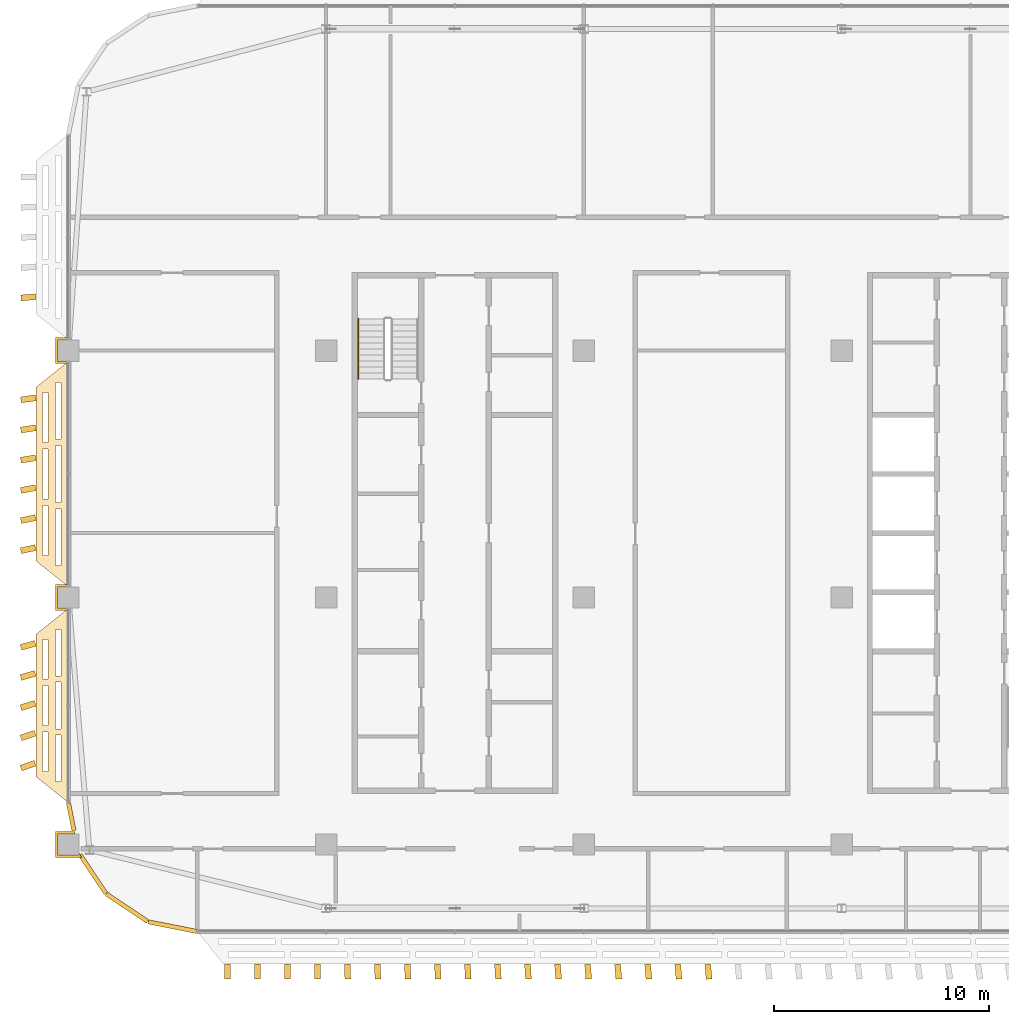
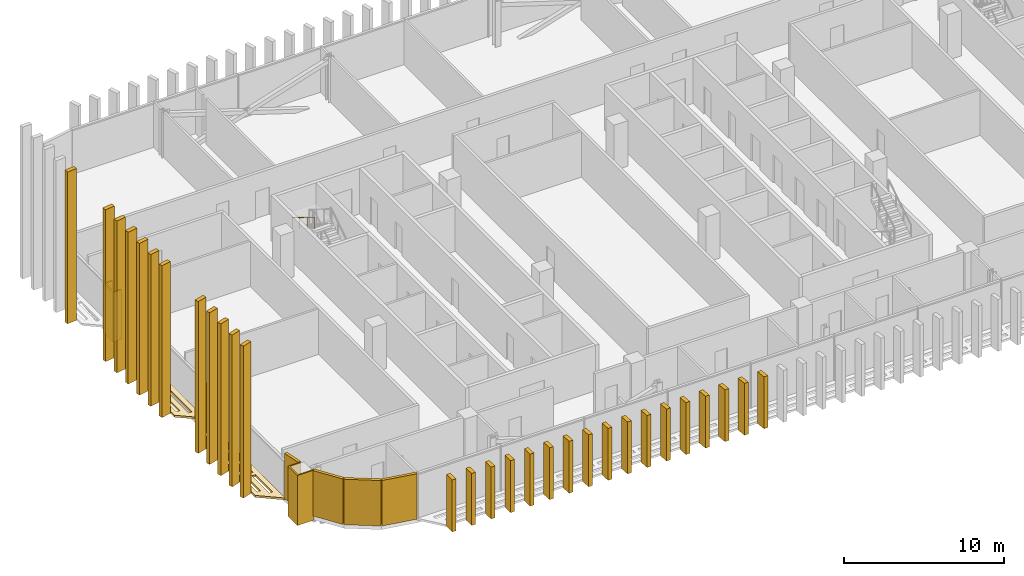
# One storey, part 26 of 32: 38 coverings, 1 railing.
"""IFC4 building model written with IfcOpenShell, lengths in metres."""

import ifcopenshell
import ifcopenshell.guid

model = None  # the IFC model being written
_history = None  # IfcOwnerHistory: only IFC2X3 demands one
_inside = {}  # id of a spatial element -> (the spatial element, [elements in it])
_under = {}  # id of a project, library or spatial element -> (it, [spatial elements below it])
_declared = {}  # id of a project -> (the project, [libraries it declares])
_typed = {}  # id of a type object -> (the type object, [elements of that type])
_made_of = {}  # id of a material, layer set ... -> (it, [elements and type objects made of it])


def new_model(schema):
    """Start an empty IFC model of exactly this schema.

    Asked for "IFC4X3", IfcOpenShell would pick the latest addendum, in which some entities
    have other attributes; the version numbers below select the first issue.
    IFC2X3 requires an IfcOwnerHistory on every rooted entity: one is made here for all.
    """
    global model, _history
    if schema == "IFC4X3":
        model = ifcopenshell.file(schema_version=(4, 3, 0, 0))
    else:
        model = ifcopenshell.file(schema=schema)
    _inside.clear()
    _under.clear()
    _declared.clear()
    _typed.clear()
    _made_of.clear()
    _history = None
    if model.schema == "IFC2X3":
        org = make("IfcOrganization", Name="unknown")
        user = make(
            "IfcPersonAndOrganization",
            ThePerson=make("IfcPerson", FamilyName="unknown"),
            TheOrganization=org,
        )
        app = make(
            "IfcApplication",
            ApplicationDeveloper=org,
            Version="unknown",
            ApplicationFullName="unknown",
            ApplicationIdentifier="unknown",
        )
        _history = make(
            "IfcOwnerHistory",
            OwningUser=user,
            OwningApplication=app,
            ChangeAction="ADDED",
            CreationDate=0,
        )
    return model


def make(cls, **values):
    """One entity of the class cls with the attributes given. An attribute that is None is left unset."""
    return model.create_entity(
        cls, **{name: value for name, value in values.items() if value is not None}
    )


def rooted(cls, **values):
    """An entity with a GlobalId (a new one), such as an element, a storey or a relation."""
    return make(cls, GlobalId=ifcopenshell.guid.new(), OwnerHistory=_history, **values)


def si_unit(unit_type, name, prefix=None):
    """IfcSIUnit, for example si_unit("LENGTHUNIT", "METRE", prefix="MILLI")."""
    return make("IfcSIUnit", UnitType=unit_type, Prefix=prefix, Name=name)


def assignment(units):
    """IfcUnitAssignment: the units of a project."""
    return None if units is None else make("IfcUnitAssignment", Units=units)


def point(xyz):
    """IfcCartesianPoint."""
    return None if xyz is None else make("IfcCartesianPoint", Coordinates=xyz)


def direction(xyz):
    """IfcDirection."""
    return None if xyz is None else make("IfcDirection", DirectionRatios=xyz)


def frame(location, z_axis=None, x_axis=None):
    """IfcAxis2Placement3D, a coordinate frame: its origin and axes. An axis left out is left unset."""
    return make(
        "IfcAxis2Placement3D",
        Location=point(location),
        Axis=direction(z_axis),
        RefDirection=direction(x_axis),
    )


def frame_2d(location, x_axis=None):
    """IfcAxis2Placement2D, a coordinate frame in the plane: its origin and x axis."""
    return make(
        "IfcAxis2Placement2D", Location=point(location), RefDirection=direction(x_axis)
    )


def origin():
    """The frame at (0, 0, 0) with its axes left unset."""
    return frame((0.0, 0.0, 0.0))


def origin_2d():
    """The frame at (0, 0) in the plane with its x axis left unset."""
    return frame_2d((0.0, 0.0))


def place(relative_to, where):
    """IfcLocalPlacement: puts the frame where relative to a parent placement (None: the world)."""
    return make(
        "IfcLocalPlacement", PlacementRelTo=relative_to, RelativePlacement=where
    )


def context(
    kind, dimensions, precision=None, world=None, true_north=None, identifier=None
):
    """IfcGeometricRepresentationContext, for example the 3D "Model" context."""
    return make(
        "IfcGeometricRepresentationContext",
        ContextIdentifier=identifier,
        ContextType=kind,
        CoordinateSpaceDimension=dimensions,
        Precision=precision,
        WorldCoordinateSystem=world,
        TrueNorth=true_north,
    )


def subcontext(parent, identifier, kind, view, scale=None):
    """IfcGeometricRepresentationSubContext, for example "Body" below "Model"."""
    return make(
        "IfcGeometricRepresentationSubContext",
        ContextIdentifier=identifier,
        ContextType=kind,
        ParentContext=parent,
        TargetScale=scale,
        TargetView=view,
    )


def project(units=None, contexts=None):
    """IfcProject with its units and contexts."""
    return rooted(
        "IfcProject",
        Name="project",
        RepresentationContexts=contexts,
        UnitsInContext=assignment(units),
    )


def spatial(cls, under=None, at=None, **own):
    """A site, building, storey or space (cls), placed at a placement, below another one or the project."""
    s = rooted(cls, ObjectPlacement=at, **own)
    if under is not None:
        _under.setdefault(under.id(), (under, []))[1].append(s)
    return s


def polyline(points):
    """IfcPolyline through the points."""
    return make("IfcPolyline", Points=[point(p) for p in points])


def profile(cls, at=None, kind="AREA", **sizes):
    """A parametric profile (cls). Its sizes go by their IFC names, for example OverallWidth=200.0."""
    return make(cls, ProfileType=kind, Position=at, **sizes)


def rectangle(**sizes):
    """IfcRectangleProfileDef."""
    return profile("IfcRectangleProfileDef", **sizes)


def circle(**sizes):
    """IfcCircleProfileDef."""
    return profile("IfcCircleProfileDef", **sizes)


def outline(outer, holes=None, kind="AREA"):
    """IfcArbitraryClosedProfileDef: a profile drawn as a closed curve; with holes, ...WithVoids."""
    if holes is None:
        return make("IfcArbitraryClosedProfileDef", ProfileType=kind, OuterCurve=outer)
    return make(
        "IfcArbitraryProfileDefWithVoids",
        ProfileType=kind,
        OuterCurve=outer,
        InnerCurves=holes,
    )


def extrude(swept, where, along, depth):
    """IfcExtrudedAreaSolid: the profile swept, set in the frame where, extruded along a direction by depth."""
    return make(
        "IfcExtrudedAreaSolid",
        SweptArea=swept,
        Position=where,
        ExtrudedDirection=direction(along),
        Depth=depth,
    )


def shape(context_of_items, identifier, shape_type, items):
    """IfcShapeRepresentation: the items that make up one representation, for example the "Body"."""
    return make(
        "IfcShapeRepresentation",
        ContextOfItems=context_of_items,
        RepresentationIdentifier=identifier,
        RepresentationType=shape_type,
        Items=items,
    )


def material(Name=None, Category=None):
    """IfcMaterial."""
    return make("IfcMaterial", Name=Name, Category=Category)


def layer(
    of_material, thickness, ventilated=None, Name=None, Category=None, Priority=None
):
    """IfcMaterialLayer: one layer of a wall or slab, of a material (None: an air gap)."""
    return make(
        "IfcMaterialLayer",
        Material=of_material,
        LayerThickness=thickness,
        IsVentilated=ventilated,
        Name=Name,
        Category=Category,
        Priority=Priority,
    )


def layer_set(layers, Name=None):
    """IfcMaterialLayerSet."""
    return make("IfcMaterialLayerSet", MaterialLayers=layers, LayerSetName=Name)


def made_of(thing, what):
    """Note that an element or type object is made of a material, layer set ...; save() writes the relation."""
    if what is not None:
        _made_of.setdefault(what.id(), (what, []))[1].append(thing)
    return thing


def type_object(cls, material=None, **own):
    """A type object (cls), such as IfcWallType, which elements share."""
    return made_of(rooted(cls, **own), material)


def element(
    cls,
    number,
    at=None,
    inside=None,
    cuts=None,
    type_object=None,
    material=None,
    context=None,
    identifier="Body",
    shape_type=None,
    held_by="IfcProductDefinitionShape",
    body=None,
    shapes=None,
    **own,
):
    """One element of the class cls, such as IfcWall. Its Tag is "e" and its number.

    at: its placement. inside: the storey or other place that contains it. cuts: it is an
    opening in that element (IfcRelVoidsElement). A single representation is given by context,
    identifier, shape_type and body (its items); several are given by shapes. held_by: the class
    of the entity that holds the representations. save() writes the other relations.
    """
    e = rooted(cls, Tag="e%d" % number, ObjectPlacement=at, **own)
    if body is not None:
        shapes = [shape(context, identifier, shape_type, body)]
    if shapes is not None:
        e.Representation = make(held_by, Representations=shapes)
    if inside is not None:
        _inside.setdefault(inside.id(), (inside, []))[1].append(e)
    if cuts is not None:
        rooted(
            "IfcRelVoidsElement", RelatingBuildingElement=cuts, RelatedOpeningElement=e
        )
    if type_object is not None:
        _typed.setdefault(type_object.id(), (type_object, []))[1].append(e)
    return made_of(e, material)


def aggregate(whole, parts):
    """IfcRelAggregates: a whole, such as a stair, and the parts it consists of."""
    return rooted("IfcRelAggregates", RelatingObject=whole, RelatedObjects=parts)


def save(model, path):
    """Write the relations noted so far, then the file.

    IfcRelAggregates (storeys below a building ...), IfcRelContainedInSpatialStructure (elements
    in a storey), IfcRelDefinesByType, IfcRelAssociatesMaterial and IfcRelDeclares: one each for
    every whole, place, type object, material and project.
    """
    for whole, parts in _under.values():
        aggregate(whole, parts)
    for where, things in _inside.values():
        rooted(
            "IfcRelContainedInSpatialStructure",
            RelatedElements=things,
            RelatingStructure=where,
        )
    for kind, things in _typed.values():
        rooted("IfcRelDefinesByType", RelatedObjects=things, RelatingType=kind)
    for what, things in _made_of.values():
        rooted("IfcRelAssociatesMaterial", RelatedObjects=things, RelatingMaterial=what)
    for by, libraries in _declared.values():
        rooted("IfcRelDeclares", RelatingContext=by, RelatedDefinitions=libraries)
    model.write(path)


model = new_model("IFC4")

# Units and contexts
model_context = context("Model", 3, precision=1e-05, world=origin(), true_north=direction((0.0, 1.0)))
body_context = subcontext(model_context, "Body", "Model", "MODEL_VIEW")
ifc_project = project(units=[si_unit("LENGTHUNIT", "METRE"), si_unit("AREAUNIT", "SQUARE_METRE"), si_unit("VOLUMEUNIT", "CUBIC_METRE"), si_unit("PLANEANGLEUNIT", "RADIAN"), si_unit("MASSUNIT", "GRAM", prefix="KILO")], contexts=[model_context])

# Site, building, storey
site_placement = place(None, origin())
site = spatial("IfcSite", under=ifc_project, at=site_placement, CompositionType="ELEMENT")
building_placement = place(site_placement, origin())
building = spatial("IfcBuilding", under=site, at=building_placement, Name="Mahtab Terrace Research Tower", CompositionType="ELEMENT")
storey_placement = place(building_placement, frame((0.0, 0.0, 243.800048828125)))
storey = spatial("IfcBuildingStorey", under=building, at=storey_placement, Name="L59", CompositionType="ELEMENT", Elevation=243.800048828125)

# Coverings
ifc_material_1 = material(Name="Black aluminium cladding panel", Category="aluminium")
ifc_layer_1 = layer(ifc_material_1, 0.199951171875)
ifc_layer_set_1 = layer_set([ifc_layer_1], Name="Black metal corner cladding 200")
covering_type_1 = type_object("IfcCoveringType", Name="Black metal corner cladding 200", PredefinedType="CLADDING", material=ifc_layer_set_1)
covering_1_placement = place(storey_placement, frame((-41.869384765625, -10.21240234375, 0.0), z_axis=(0.0, 0.0, 1.0), x_axis=(0.195212442692, -0.980760981187, 0.0)))
element("IfcCovering", 1, at=covering_1_placement, inside=storey, type_object=covering_type_1, Name="Corner cladding L59 11", PredefinedType="CLADDING", context=body_context, shape_type="SweptSolid", body=[
    extrude(rectangle(XDim=1.298828125, YDim=0.199951171875, at=origin_2d()), origin(), (0.0, 0.0, 1.0), 3.4599609375),
])
covering_2_placement = place(storey_placement, frame((-40.857666015625, -12.87841796875, 0.0), z_axis=(0.0, 0.0, 1.0), x_axis=(0.555291490808, -0.831655794326, 0.0)))
element("IfcCovering", 2, at=covering_2_placement, inside=storey, type_object=covering_type_1, Name="Corner cladding L59 12", PredefinedType="CLADDING", context=body_context, shape_type="SweptSolid", body=[
    extrude(rectangle(XDim=2.17431640625, YDim=0.199951171875, at=origin_2d()), origin(), (0.0, 0.0, 1.0), 3.4599609375),
])
for number, where, z_axis, x_axis, name in (
    (3, (-39.26953125, -14.448974609375, 0.0), (0.0, 0.0, 1.0), (0.831655794326, -0.555291490808, 0.0), "Corner cladding L59 13"),
    (4, (-37.14794921875, -15.327392578125, 0.0), (0.0, 0.0, 1.0), (0.980760981187, -0.195212442692, 0.0), "Corner cladding L59 14"),
):
    element("IfcCovering", number, at=place(storey_placement, frame(where, z_axis=z_axis, x_axis=x_axis)), inside=storey, type_object=covering_type_1, Name=name, PredefinedType="CLADDING", context=body_context, shape_type="SweptSolid", body=[
        extrude(rectangle(XDim=2.30126953125, YDim=0.199951171875, at=origin_2d()), origin(), (0.0, 0.0, 1.0), 3.4599609375),
    ])
ifc_material_2 = material(Name="Dark anodised aluminium cladding", Category="aluminium")
ifc_layer_2 = layer(ifc_material_2, 0.10009765625)
ifc_layer_set_2 = layer_set([ifc_layer_2], Name="Column casing 100")
covering_type_2 = type_object("IfcCoveringType", Name="Column casing 100", PredefinedType="CLADDING", material=ifc_layer_set_2)
covering_3_placement = place(storey_placement, frame((0.0, 0.0, -0.340087890625)))
element("IfcCovering", 5, at=covering_3_placement, inside=storey, type_object=covering_type_2, Name="Column casing RC-1A L59", PredefinedType="CLADDING", context=body_context, shape_type="SweptSolid", body=[
    extrude(outline(polyline([(-42.60009765625, -10.89990234375), (-41.73193359375, -10.89990234375), (-41.712890625, -11.0), (-42.5, -11.0), (-42.5, -12.0), (-41.5, -12.0), (-41.5, -11.916015625), (-41.39990234375, -12.06591796875), (-41.39990234375, -12.10009765625), (-42.60009765625, -12.10009765625), (-42.60009765625, -10.89990234375)])), origin(), (0.0, 0.0, 1.0), 3.800048828125),
])
covering_4_placement = place(storey_placement, frame((0.0, 0.0, -0.340087890625)))
element("IfcCovering", 6, at=covering_4_placement, inside=storey, type_object=covering_type_2, Name="Column casing RC-1B L59", PredefinedType="CLADDING", context=body_context, shape_type="SweptSolid", body=[
    extrude(outline(polyline([(-42.60009765625, 0.60009765625), (-42.0, 0.60009765625), (-42.0, 0.5), (-42.5, 0.5), (-42.5, -0.5), (-42.0, -0.5), (-42.0, -0.60009765625), (-42.60009765625, -0.60009765625), (-42.60009765625, 0.60009765625)])), origin(), (0.0, 0.0, 1.0), 3.800048828125),
])
covering_5_placement = place(storey_placement, frame((0.0, 0.0, -0.340087890625)))
element("IfcCovering", 7, at=covering_5_placement, inside=storey, type_object=covering_type_2, Name="Column casing RC-1C L59", PredefinedType="CLADDING", context=body_context, shape_type="SweptSolid", body=[
    extrude(outline(polyline([(-42.60009765625, 12.10009765625), (-42.0, 12.10009765625), (-42.0, 12.0), (-42.5, 12.0), (-42.5, 11.0), (-42.0, 11.0), (-42.0, 10.89990234375), (-42.60009765625, 10.89990234375), (-42.60009765625, 12.10009765625)])), origin(), (0.0, 0.0, 1.0), 3.800048828125),
])
ifc_material_3 = material(Name="Black anodised aluminium", Category="aluminium")
ifc_layer_3 = layer(ifc_material_3, 0.14990234375)
ifc_layer_set_3 = layer_set([ifc_layer_3], Name="Horizontal sunshade band")
covering_type_3 = type_object("IfcCoveringType", Name="Horizontal sunshade band", PredefinedType="CLADDING", material=ifc_layer_set_3)
covering_6_placement = place(storey_placement, frame((0.0, 0.0, -0.150146484375)))
element("IfcCovering", 8, at=covering_6_placement, inside=storey, type_object=covering_type_3, Name="Sunshade band L59 9", PredefinedType="CLADDING", context=body_context, shape_type="SweptSolid", body=[
    extrude(outline(polyline([(-42.0, 11.0), (-42.0, 0.5), (-43.5, 1.699951171875), (-43.5, 9.800048828125), (-42.0, 11.0)]), holes=[polyline([(-42.35009765625, 10.02001953125), (-42.35009765625, 7.373046875), (-42.60009765625, 7.373046875), (-42.60009765625, 10.02001953125), (-42.35009765625, 10.02001953125)]), polyline([(-42.35009765625, 7.072998046875), (-42.35009765625, 4.427001953125), (-42.60009765625, 4.427001953125), (-42.60009765625, 7.072998046875), (-42.35009765625, 7.072998046875)]), polyline([(-42.35009765625, 4.126953125), (-42.35009765625, 1.47998046875), (-42.60009765625, 1.47998046875), (-42.60009765625, 4.126953125), (-42.35009765625, 4.126953125)]), polyline([(-42.949951171875, 9.5400390625), (-42.949951171875, 7.212890625), (-43.199951171875, 7.212890625), (-43.199951171875, 9.5400390625), (-42.949951171875, 9.5400390625)]), polyline([(-42.949951171875, 6.9130859375), (-42.949951171875, 4.5869140625), (-43.199951171875, 4.5869140625), (-43.199951171875, 6.9130859375), (-42.949951171875, 6.9130859375)]), polyline([(-42.949951171875, 4.287109375), (-42.949951171875, 1.9599609375), (-43.199951171875, 1.9599609375), (-43.199951171875, 4.287109375), (-42.949951171875, 4.287109375)])]), origin(), (0.0, 0.0, 1.0), 0.150146484375),
])
covering_7_placement = place(storey_placement, frame((0.0, 0.0, -0.150146484375)))
element("IfcCovering", 9, at=covering_7_placement, inside=storey, type_object=covering_type_3, Name="Sunshade band L59 10", PredefinedType="CLADDING", context=body_context, shape_type="SweptSolid", body=[
    extrude(outline(polyline([(-42.0, -0.5), (-42.0, -9.555908203125), (-43.5, -8.35595703125), (-43.5, -1.699951171875), (-42.0, -0.5)]), holes=[polyline([(-42.35009765625, -1.47998046875), (-42.35009765625, -3.64501953125), (-42.60009765625, -3.64501953125), (-42.60009765625, -1.47998046875), (-42.35009765625, -1.47998046875)]), polyline([(-42.35009765625, -3.945068359375), (-42.35009765625, -6.111083984375), (-42.60009765625, -6.111083984375), (-42.60009765625, -3.945068359375), (-42.35009765625, -3.945068359375)]), polyline([(-42.35009765625, -6.410888671875), (-42.35009765625, -8.575927734375), (-42.60009765625, -8.575927734375), (-42.60009765625, -6.410888671875), (-42.35009765625, -6.410888671875)]), polyline([(-42.949951171875, -1.9599609375), (-42.949951171875, -3.804931640625), (-43.199951171875, -3.804931640625), (-43.199951171875, -1.9599609375), (-42.949951171875, -1.9599609375)]), polyline([(-42.949951171875, -4.10498046875), (-42.949951171875, -5.950927734375), (-43.199951171875, -5.950927734375), (-43.199951171875, -4.10498046875), (-42.949951171875, -4.10498046875)]), polyline([(-42.949951171875, -6.2509765625), (-42.949951171875, -8.095947265625), (-43.199951171875, -8.095947265625), (-43.199951171875, -6.2509765625), (-42.949951171875, -6.2509765625)])]), origin(), (0.0, 0.0, 1.0), 0.150146484375),
])

# Railing
ifc_material_4 = material(Name="Stainless steel AISI 304", Category="steel")
railing_type = type_object("IfcRailingType", Name="Stair handrail 900", PredefinedType="HANDRAIL", material=ifc_material_4)
railing_placement = place(storey_placement, frame((-28.5, 12.97509765625, 2.07275390625)))
element("IfcRailing", 10, at=railing_placement, inside=storey, type_object=railing_type, Name="L59 ST1 stair handrail 2", PredefinedType="HANDRAIL", context=body_context, shape_type="SweptSolid", body=[
    extrude(circle(Radius=0.02392578125, at=origin_2d()), frame((0.0, 0.0, 0.8759765625), z_axis=(0.0, -0.851089632645, 0.525020415988), x_axis=(1.0, 0.0, 0.0)), (0.0, 0.0, 1.0), 3.2900390625),
    extrude(circle(Radius=0.02099609375, at=origin_2d()), origin(), (0.0, 0.0, 1.0), 0.851806640625),
    extrude(circle(Radius=0.02099609375, at=origin_2d()), frame((0.0, -0.933349609375, 0.57568359375)), (0.0, 0.0, 1.0), 0.851806640625),
    extrude(circle(Radius=0.02099609375, at=origin_2d()), frame((0.0, -1.86669921875, 1.151611328125)), (0.0, 0.0, 1.0), 0.851806640625),
    extrude(circle(Radius=0.02099609375, at=origin_2d()), frame((0.0, -2.800048828125, 1.727294921875)), (0.0, 0.0, 1.0), 0.851806640625),
])

# Coverings
ifc_material_5 = material(Name="Bronze anodised aluminium", Category="aluminium")
ifc_layer_4 = layer(ifc_material_5, 0.1201171875)
ifc_layer_set_4 = layer_set([ifc_layer_4], Name="Vertical fin 700")
covering_type_4 = type_object("IfcCoveringType", Name="Vertical fin 700", PredefinedType="CLADDING", material=ifc_layer_set_4)
for number, where, z_axis, x_axis, name in (
    (11, (-43.860595703125, 13.97802734375, -0.14990234375), (0.0, 0.0, 1.0), (0.084920133396, -0.996387761338, 0.0), "Fin L59 W5"),
    (12, (-43.865966796875, 9.25, -0.14990234375), (0.0, 0.0, 1.0), (0.137630800382, -0.990483600463, 0.0), "Fin L59 W1"),
    (13, (-43.867431640625, 7.85009765625, -0.14990234375), (0.0, 0.0, 1.0), (0.153171217918, -0.988199665048, 0.0), "Fin L59 W2"),
    (14, (-43.86865234375, 6.449951171875, -0.14990234375), (0.0, 0.0, 1.0), (0.168673844925, -0.985671920082, 0.0), "Fin L59 W3"),
    (15, (-43.869873046875, 5.050048828125, -0.14990234375), (0.0, 0.0, 1.0), (0.184134856546, -0.982900989218, 0.0), "Fin L59 W4"),
    (16, (-43.870849609375, 3.64990234375, -0.14990234375), (0.0, 0.0, 1.0), (0.199550438259, -0.979887556096, 0.0), "Fin L59 W5"),
    (17, (-43.871826171875, 2.25, -0.14990234375), (0.0, 0.0, 1.0), (0.214916786683, -0.976632364199, 0.0), "Fin L59 W6"),
    (18, (-43.87451171875, -2.22802734375, -0.14990234375), (0.0, 0.0, 1.0), (0.263692534387, -0.964606783777, 0.0), "Fin L59 W1"),
    (19, (-43.875244140625, -3.6279296875, -0.14990234375), (0.0, 0.0, 1.0), (0.278810957146, -0.960346005446, 0.0), "Fin L59 W2"),
    (20, (-43.875732421875, -5.028076171875, -0.14990234375), (0.0, 0.0, 1.0), (0.293860591388, -0.955848289651, 0.0), "Fin L59 W3"),
    (21, (-43.876220703125, -6.427978515625, -0.14990234375), (0.0, 0.0, 1.0), (0.308837724086, -0.951114746065, 0.0), "Fin L59 W4"),
    (22, (-43.87646484375, -7.827880859375, -0.14990234375), (0.0, 0.0, 1.0), (0.323738660034, -0.946146542561, 0.0), "Fin L59 W5"),
):
    element("IfcCovering", number, at=place(storey_placement, frame(where, z_axis=z_axis, x_axis=x_axis)), inside=storey, type_object=covering_type_4, Name=name, PredefinedType="CLADDING", context=body_context, shape_type="SweptSolid", body=[
        extrude(rectangle(XDim=0.280029296875, YDim=0.699951171875, at=origin_2d()), origin(), (0.0, 0.0, 1.0), 11.550048828125),
    ])
for number, where, z_axis, x_axis, name in (
    (23, (-34.60009765625, -17.40673828125, -0.14990234375), (0.0, 0.0, 1.0), (0.999983076858, 0.005817731349, 0.0), "Fin L59 S1"),
    (24, (-33.199951171875, -17.40771484375, -0.14990234375), (0.0, 0.0, 1.0), (0.999932308004, 0.011635265807, 0.0), "Fin L59 S2"),
    (25, (-31.800048828125, -17.408447265625, -0.14990234375), (0.0, 0.0, 1.0), (0.999847695156, 0.017452406437, 0.0), "Fin L59 S3"),
    (26, (-30.39990234375, -17.4091796875, -0.14990234375), (0.0, 0.0, 1.0), (0.99972924118, 0.023268956368, 0.0), "Fin L59 S4"),
    (27, (-29.0, -17.409912109375, -0.14990234375), (0.0, 0.0, 1.0), (0.999576950082, 0.029084718749, 0.0), "Fin L59 S5"),
    (28, (-27.60009765625, -17.41064453125, -0.14990234375), (0.0, 0.0, 1.0), (0.999390827019, 0.034899496703, 0.0), "Fin L59 S6"),
    (29, (-26.199951171875, -17.411376953125, -0.14990234375), (0.0, 0.0, 1.0), (0.99917087829, 0.040713093438, 0.0), "Fin L59 S7"),
    (30, (-24.800048828125, -17.412109375, -0.14990234375), (0.0, 0.0, 1.0), (0.998917111338, 0.046525312204, 0.0), "Fin L59 S8"),
    (31, (-23.39990234375, -17.412841796875, -0.14990234375), (0.0, 0.0, 1.0), (0.998629534755, 0.052335956243, 0.0), "Fin L59 S9"),
    (32, (-22.0, -17.41357421875, -0.14990234375), (0.0, 0.0, 1.0), (0.998308158272, 0.058144828905, 0.0), "Fin L59 S10"),
    (33, (-20.60009765625, -17.414306640625, -0.14990234375), (0.0, 0.0, 1.0), (0.997952992766, 0.063951733597, 0.0), "Fin L59 S11"),
    (34, (-19.199951171875, -17.414794921875, -0.14990234375), (0.0, 0.0, 1.0), (0.99756405026, 0.069756473744, 0.0), "Fin L59 S12"),
    (35, (-17.800048828125, -17.41552734375, -0.14990234375), (0.0, 0.0, 1.0), (0.997141343917, 0.075558852893, 0.0), "Fin L59 S13"),
    (36, (-16.39990234375, -17.416259765625, -0.14990234375), (0.0, 0.0, 1.0), (0.996684888044, 0.081358674674, 0.0), "Fin L59 S14"),
    (37, (-15.0, -17.416748046875, -0.14990234375), (0.0, 0.0, 1.0), (0.996194698092, 0.087155742748, 0.0), "Fin L59 S15"),
    (38, (-13.60009765625, -17.41748046875, -0.14990234375), (0.0, 0.0, 1.0), (0.99567079065, 0.092949860924, 0.0), "Fin L59 S16"),
    (39, (-12.199951171875, -17.418212890625, -0.14990234375), (0.0, 0.0, 1.0), (0.99511318345, 0.098740833109, 0.0), "Fin L59 S17"),
):
    element("IfcCovering", number, at=place(storey_placement, frame(where, z_axis=z_axis, x_axis=x_axis)), inside=storey, type_object=covering_type_4, Name=name, PredefinedType="CLADDING", context=body_context, shape_type="SweptSolid", body=[
        extrude(rectangle(XDim=0.280029296875, YDim=0.699951171875, at=origin_2d()), origin(), (0.0, 0.0, 1.0), 3.949951171875),
    ])

save(model, "model.ifc")
